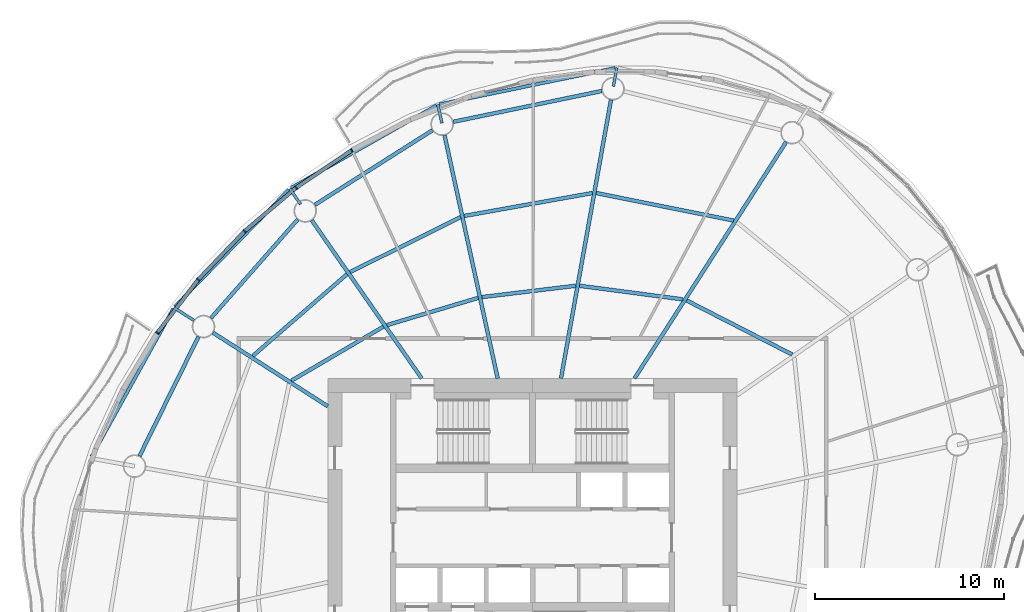
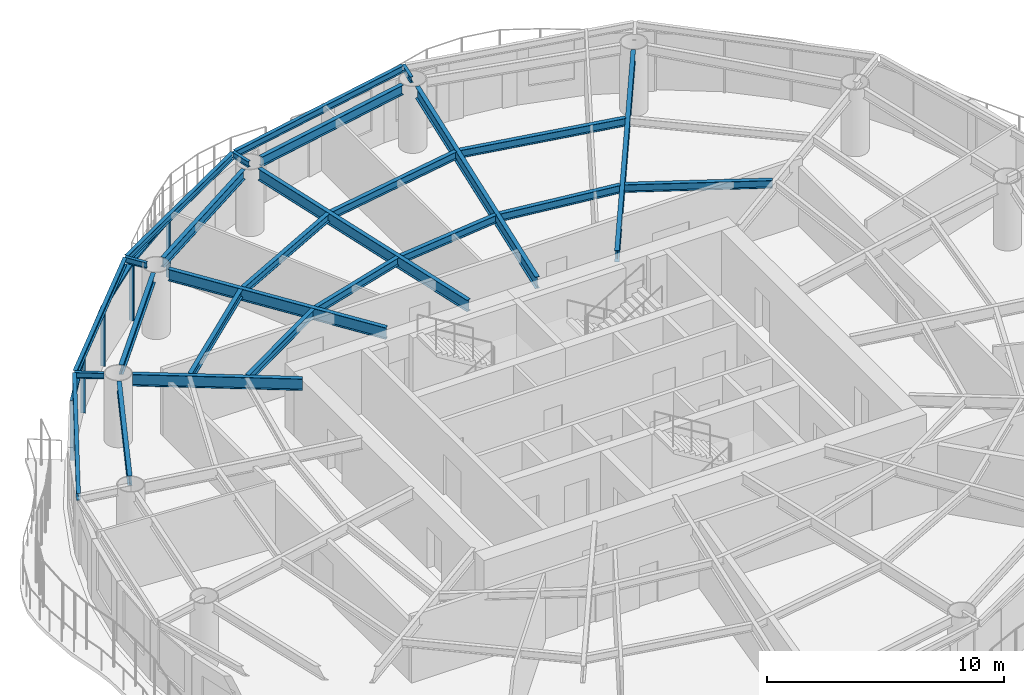
# One storey, part 5 of 14: 26 beams, 9 members, 4 elements without a shape of their own.
"""IFC4 building model written with IfcOpenShell, lengths in metres."""

from ifc_helpers import new_model, si_unit, direction, frame, origin, origin_2d, place, context, subcontext, project, spatial, rectangle, i_section, extrude, material, material_profile, profile_set, type_object, element, aggregate, save


model = new_model("IFC4")

# Units and contexts
model_context = context("Model", 3, precision=1e-05, world=origin(), true_north=direction((0.0, 1.0)))
body_context = subcontext(model_context, "Body", "Model", "MODEL_VIEW")
ifc_project = project(units=[si_unit("LENGTHUNIT", "METRE"), si_unit("AREAUNIT", "SQUARE_METRE"), si_unit("VOLUMEUNIT", "CUBIC_METRE"), si_unit("PLANEANGLEUNIT", "RADIAN"), si_unit("MASSUNIT", "GRAM", prefix="KILO")], contexts=[model_context])

# Site, building, storey
site_placement = place(None, origin())
site = spatial("IfcSite", under=ifc_project, at=site_placement, CompositionType="ELEMENT")
building_placement = place(site_placement, origin())
building = spatial("IfcBuilding", under=site, at=building_placement, Name="Vermilion Reach Broadcast Tower", CompositionType="ELEMENT")
storey_placement = place(building_placement, frame((0.0, 0.0, 206.5)))
storey = spatial("IfcBuildingStorey", under=building, at=storey_placement, Name="L50", CompositionType="ELEMENT", Elevation=206.5)

# Beams
ifc_material_1 = material(Name="Steel S355J2", Category="steel")
ifc_material_profile_1 = material_profile(ifc_material_1, i_section(OverallWidth=0.175048828125, OverallDepth=0.35009765625, WebThickness=0.007080078125, FlangeThickness=0.010986328125, at=origin_2d()), Name="S355J2 HN 350x175x7x11")
ifc_profile_set_1 = profile_set([ifc_material_profile_1], Name="Steel S355J2")
beam_type_1 = type_object("IfcBeamType", Name="EB4 HN 350x175x7x11", PredefinedType="BEAM", material=ifc_profile_set_1)
beam_1_placement = place(storey_placement, frame((-1.630859375, 24.780029296875, 3.27490234375), z_axis=(-0.979291047752, -0.202457511081, 0.0), x_axis=(0.202457511081, -0.979291047752, 0.0)))
element("IfcBeam", 1, at=beam_1_placement, inside=storey, type_object=beam_type_1, Name="Edge beam EB4-02", PredefinedType="BEAM", context=body_context, shape_type="SweptSolid", body=[
    extrude(i_section(OverallWidth=0.175048828125, OverallDepth=0.35009765625, WebThickness=0.007080078125, FlangeThickness=0.010986328125, at=origin_2d()), origin(), (0.0, 0.0, 1.0), 9.485595703125),
])
beam_2_placement = place(storey_placement, frame((-11.061767578125, 22.8056640625, 3.27490234375), z_axis=(-0.869659937039, -0.493651287762, 0.0), x_axis=(0.493651287762, -0.869659937039, 0.0)))
element("IfcBeam", 2, at=beam_2_placement, inside=storey, type_object=beam_type_1, Name="Edge beam EB4-03", PredefinedType="BEAM", context=body_context, shape_type="SweptSolid", body=[
    extrude(i_section(OverallWidth=0.175048828125, OverallDepth=0.35009765625, WebThickness=0.007080078125, FlangeThickness=0.010986328125, at=origin_2d()), origin(), (0.0, 0.0, 1.0), 8.832275390625),
])
beam_3_placement = place(storey_placement, frame((-18.86181640625, 18.353759765625, 3.27490234375), z_axis=(-0.697871815237, -0.716222681502, 0.0), x_axis=(0.716222681502, -0.697871815237, 0.0)))
element("IfcBeam", 3, at=beam_3_placement, inside=storey, type_object=beam_type_1, Name="Edge beam EB4-04", PredefinedType="BEAM", context=body_context, shape_type="SweptSolid", body=[
    extrude(i_section(OverallWidth=0.175048828125, OverallDepth=0.35009765625, WebThickness=0.007080078125, FlangeThickness=0.010986328125, at=origin_2d()), origin(), (0.0, 0.0, 1.0), 8.607666015625),
])
beam_4_placement = place(storey_placement, frame((-24.95849609375, 12.068115234375, 3.27490234375), z_axis=(-0.483728119844, -0.875218319091, 0.0), x_axis=(0.875218319091, -0.483728119844, 0.0)))
element("IfcBeam", 4, at=beam_4_placement, inside=storey, type_object=beam_type_1, Name="Edge beam EB4-05", PredefinedType="BEAM", context=body_context, shape_type="SweptSolid", body=[
    extrude(i_section(OverallWidth=0.175048828125, OverallDepth=0.35009765625, WebThickness=0.007080078125, FlangeThickness=0.010986328125, at=origin_2d()), origin(), (0.0, 0.0, 1.0), 8.904052734375),
])
ifc_material_2 = material(Name="Steel S355J2", Category="steel")
ifc_material_profile_2 = material_profile(ifc_material_2, i_section(OverallWidth=0.199951171875, OverallDepth=0.60009765625, WebThickness=0.010986328125, FlangeThickness=0.01708984375, at=origin_2d()), Name="S355J2 HN 600x200x11x17")
ifc_profile_set_2 = profile_set([ifc_material_profile_2], Name="Steel S355J2")
beam_type_2 = type_object("IfcBeamType", Name="G4 HN 600x200x11x17", PredefinedType="BEAM", material=ifc_profile_set_2)
beam_5_placement = place(storey_placement, frame((-0.613525390625, 8.39990234375, 3.14990234375), z_axis=(0.539796447586, 0.84179557802, 0.0), x_axis=(-0.84179557802, 0.539796447586, 0.0)))
element("IfcBeam", 5, at=beam_5_placement, inside=storey, type_object=beam_type_2, Name="Girder G4-01", PredefinedType="BEAM", context=body_context, shape_type="SweptSolid", body=[
    extrude(i_section(OverallWidth=0.199951171875, OverallDepth=0.60009765625, WebThickness=0.010986328125, FlangeThickness=0.01708984375, at=origin_2d()), origin(), (0.0, 0.0, 1.0), 14.8076171875),
])
beam_6_placement = place(storey_placement, frame((-4.4931640625, 8.39990234375, 3.14990234375), z_axis=(0.176574729047, 0.984287237072, 0.0), x_axis=(-0.984287237072, 0.176574729047, 0.0)))
element("IfcBeam", 6, at=beam_6_placement, inside=storey, type_object=beam_type_2, Name="Girder G4-02", PredefinedType="BEAM", context=body_context, shape_type="SweptSolid", body=[
    extrude(i_section(OverallWidth=0.199951171875, OverallDepth=0.60009765625, WebThickness=0.010986328125, FlangeThickness=0.01708984375, at=origin_2d()), origin(), (0.0, 0.0, 1.0), 14.935302734375),
])
beam_7_placement = place(storey_placement, frame((-7.836181640625, 8.39990234375, 3.14990234375), z_axis=(-0.213538346548, 0.976934682849, 0.0), x_axis=(-0.976934682849, -0.213538346548, 0.0)))
element("IfcBeam", 7, at=beam_7_placement, inside=storey, type_object=beam_type_2, Name="Girder G4-03", PredefinedType="BEAM", context=body_context, shape_type="SweptSolid", body=[
    extrude(i_section(OverallWidth=0.199951171875, OverallDepth=0.60009765625, WebThickness=0.010986328125, FlangeThickness=0.01708984375, at=origin_2d()), origin(), (0.0, 0.0, 1.0), 13.135498046875),
])
beam_8_placement = place(storey_placement, frame((-11.8447265625, 8.39990234375, 3.14990234375), z_axis=(-0.571134149017, 0.8208567377, 0.0), x_axis=(-0.8208567377, -0.571134149017, 0.0)))
element("IfcBeam", 8, at=beam_8_placement, inside=storey, type_object=beam_type_2, Name="Girder G4-04", PredefinedType="BEAM", context=body_context, shape_type="SweptSolid", body=[
    extrude(i_section(OverallWidth=0.199951171875, OverallDepth=0.60009765625, WebThickness=0.010986328125, FlangeThickness=0.01708984375, at=origin_2d()), origin(), (0.0, 0.0, 1.0), 10.16552734375),
])
beam_9_placement = place(storey_placement, frame((-16.800048828125, 6.925537109375, 3.14990234375), z_axis=(-0.841798504642, 0.539791883584, 0.0), x_axis=(-0.539791883584, -0.841798504642, 0.0)))
element("IfcBeam", 9, at=beam_9_placement, inside=storey, type_object=beam_type_2, Name="Girder G4-05", PredefinedType="BEAM", context=body_context, shape_type="SweptSolid", body=[
    extrude(i_section(OverallWidth=0.199951171875, OverallDepth=0.60009765625, WebThickness=0.010986328125, FlangeThickness=0.01708984375, at=origin_2d()), origin(), (0.0, 0.0, 1.0), 7.1962890625),
])
ifc_material_3 = material(Name="Steel S355J2", Category="steel")
ifc_material_profile_3 = material_profile(ifc_material_3, i_section(OverallWidth=0.14990234375, OverallDepth=0.300048828125, WebThickness=0.006591796875, FlangeThickness=0.009033203125, at=origin_2d()), Name="S355J2 HN 300x150x6.5x9")
ifc_profile_set_3 = profile_set([ifc_material_profile_3], Name="Steel S355J2")
beam_type_3 = type_object("IfcBeamType", Name="GS4 HN 300x150x6.5x9", PredefinedType="BEAM", material=ifc_profile_set_3)
beam_10_placement = place(storey_placement, frame((-1.728271484375, 23.812255859375, 3.300048828125), z_axis=(0.176542748677, 0.984292973606, 0.0), x_axis=(-0.984292973606, 0.176542748677, 0.0)))
element("IfcBeam", 10, at=beam_10_placement, inside=storey, type_object=beam_type_3, Name="Cantilever stub GS4-02", PredefinedType="BEAM", context=body_context, shape_type="SweptSolid", body=[
    extrude(i_section(OverallWidth=0.14990234375, OverallDepth=0.300048828125, WebThickness=0.006591796875, FlangeThickness=0.009033203125, at=origin_2d()), origin(), (0.0, 0.0, 1.0), 0.999755859375),
])
beam_11_placement = place(storey_placement, frame((-10.77978515625, 21.867431640625, 3.300048828125), z_axis=(-0.213594957215, 0.976922307173, 0.0), x_axis=(-0.976922307173, -0.213594957215, 0.0)))
element("IfcBeam", 11, at=beam_11_placement, inside=storey, type_object=beam_type_3, Name="Cantilever stub GS4-03", PredefinedType="BEAM", context=body_context, shape_type="SweptSolid", body=[
    extrude(i_section(OverallWidth=0.14990234375, OverallDepth=0.300048828125, WebThickness=0.006591796875, FlangeThickness=0.009033203125, at=origin_2d()), origin(), (0.0, 0.0, 1.0), 1.000244140625),
])
beam_12_placement = place(storey_placement, frame((-18.2373046875, 17.587646484375, 3.300048828125), z_axis=(-0.571264751294, 0.820765852073, 0.0), x_axis=(-0.820765852073, -0.571264751294, 0.0)))
element("IfcBeam", 12, at=beam_12_placement, inside=storey, type_object=beam_type_3, Name="Cantilever stub GS4-04", PredefinedType="BEAM", context=body_context, shape_type="SweptSolid", body=[
    extrude(i_section(OverallWidth=0.14990234375, OverallDepth=0.300048828125, WebThickness=0.006591796875, FlangeThickness=0.009033203125, at=origin_2d()), origin(), (0.0, 0.0, 1.0), 1.0),
])
beam_13_placement = place(storey_placement, frame((-23.867919921875, 11.457763671875, 3.300048828125), z_axis=(-0.841842805996, 0.539722789952, 0.0), x_axis=(-0.539722789952, -0.841842805996, 0.0)))
element("IfcBeam", 13, at=beam_13_placement, inside=storey, type_object=beam_type_3, Name="Cantilever stub GS4-05", PredefinedType="BEAM", context=body_context, shape_type="SweptSolid", body=[
    extrude(i_section(OverallWidth=0.14990234375, OverallDepth=0.300048828125, WebThickness=0.006591796875, FlangeThickness=0.009033203125, at=origin_2d()), origin(), (0.0, 0.0, 1.0), 1.25244140625),
])
ifc_material_4 = material(Name="Steel S355J2", Category="steel")
ifc_material_profile_4 = material_profile(ifc_material_4, i_section(OverallWidth=0.199951171875, OverallDepth=0.5, WebThickness=0.010009765625, FlangeThickness=0.01611328125, at=origin_2d()), Name="S355J2 HN 500x200x10x16")
ifc_profile_set_4 = profile_set([ifc_material_profile_4], Name="Steel S355J2")
beam_type_4 = type_object("IfcBeamType", Name="RB4 HN 500x200x10x16", PredefinedType="BEAM", material=ifc_profile_set_4)
beam_14_placement = place(storey_placement, frame((-2.337646484375, 23.569091796875, 3.199951171875), z_axis=(-0.97912342484, -0.203266620302, 0.0), x_axis=(0.203266620302, -0.97912342484, 0.0)))
element("IfcBeam", 14, at=beam_14_placement, inside=storey, type_object=beam_type_4, Name="Ring beam RB4-02", PredefinedType="BEAM", context=body_context, shape_type="SweptSolid", body=[
    extrude(i_section(OverallWidth=0.199951171875, OverallDepth=0.5, WebThickness=0.010009765625, FlangeThickness=0.01611328125, at=origin_2d()), origin(), (0.0, 0.0, 1.0), 8.01123046875),
])
beam_15_placement = place(storey_placement, frame((-11.27587890625, 21.497314453125, 3.199951171875), z_axis=(-0.84446426774, -0.535611893549, 0.0), x_axis=(0.535611893549, -0.84446426774, 0.0)))
element("IfcBeam", 15, at=beam_15_placement, inside=storey, type_object=beam_type_4, Name="Ring beam RB4-03", PredefinedType="BEAM", context=body_context, shape_type="SweptSolid", body=[
    extrude(i_section(OverallWidth=0.199951171875, OverallDepth=0.5, WebThickness=0.010009765625, FlangeThickness=0.01611328125, at=origin_2d()), origin(), (0.0, 0.0, 1.0), 7.3544921875),
])
beam_16_placement = place(storey_placement, frame((-18.3896484375, 16.786376953125, 3.199951171875), z_axis=(-0.660565141761, -0.750768735024, 0.0), x_axis=(0.750768735024, -0.660565141761, 0.0)))
element("IfcBeam", 16, at=beam_16_placement, inside=storey, type_object=beam_type_4, Name="Ring beam RB4-04", PredefinedType="BEAM", context=body_context, shape_type="SweptSolid", body=[
    extrude(i_section(OverallWidth=0.199951171875, OverallDepth=0.5, WebThickness=0.010009765625, FlangeThickness=0.01611328125, at=origin_2d()), origin(), (0.0, 0.0, 1.0), 6.9287109375),
])
beam_17_placement = place(storey_placement, frame((-23.628662109375, 10.595947265625, 3.199951171875), z_axis=(-0.442977497199, -0.896532730566, 0.0), x_axis=(0.896532730566, -0.442977497199, 0.0)))
element("IfcBeam", 17, at=beam_17_placement, inside=storey, type_object=beam_type_4, Name="Ring beam RB4-05", PredefinedType="BEAM", context=body_context, shape_type="SweptSolid", body=[
    extrude(i_section(OverallWidth=0.199951171875, OverallDepth=0.5, WebThickness=0.010009765625, FlangeThickness=0.01611328125, at=origin_2d()), origin(), (0.0, 0.0, 1.0), 7.0166015625),
])
ifc_material_5 = material(Name="Steel S355J2", Category="steel")
ifc_material_profile_5 = material_profile(ifc_material_5, i_section(OverallWidth=0.199951171875, OverallDepth=0.39990234375, WebThickness=0.008056640625, FlangeThickness=0.012939453125, at=origin_2d()), Name="S355J2 HN 400x200x8x13")
ifc_profile_set_5 = profile_set([ifc_material_profile_5], Name="Steel S355J2")
beam_type_5 = type_object("IfcBeamType", Name="SB4 HN 400x200x8x13", PredefinedType="BEAM", material=ifc_profile_set_5)
beam_18_placement = place(storey_placement, frame((1.94140625, 12.5693359375, 3.25), z_axis=(-0.991458070019, 0.130425823341, 0.0), x_axis=(-0.130425823341, -0.991458070019, 0.0)))
element("IfcBeam", 18, at=beam_18_placement, inside=storey, type_object=beam_type_5, Name="Secondary beam SB4-01-1", PredefinedType="BEAM", context=body_context, shape_type="SweptSolid", body=[
    extrude(i_section(OverallWidth=0.199951171875, OverallDepth=0.39990234375, WebThickness=0.008056640625, FlangeThickness=0.012939453125, at=origin_2d()), origin(), (0.0, 0.0, 1.0), 5.50341796875),
])
beam_19_placement = place(storey_placement, frame((4.60986328125, 16.73095703125, 3.25), z_axis=(-0.9805717807, 0.196160604851, 0.0), x_axis=(-0.196160604851, -0.9805717807, 0.0)))
element("IfcBeam", 19, at=beam_19_placement, inside=storey, type_object=beam_type_5, Name="Secondary beam SB4-01-2", PredefinedType="BEAM", context=body_context, shape_type="SweptSolid", body=[
    extrude(i_section(OverallWidth=0.199951171875, OverallDepth=0.39990234375, WebThickness=0.008056640625, FlangeThickness=0.012939453125, at=origin_2d()), origin(), (0.0, 0.0, 1.0), 7.390380859375),
])
beam_20_placement = place(storey_placement, frame((-3.718017578125, 13.28759765625, 3.25), z_axis=(-0.99278788328, -0.119884189168, 0.0), x_axis=(0.119884189168, -0.99278788328, 0.0)))
element("IfcBeam", 20, at=beam_20_placement, inside=storey, type_object=beam_type_5, Name="Secondary beam SB4-02-1", PredefinedType="BEAM", context=body_context, shape_type="SweptSolid", body=[
    extrude(i_section(OverallWidth=0.199951171875, OverallDepth=0.39990234375, WebThickness=0.008056640625, FlangeThickness=0.012939453125, at=origin_2d()), origin(), (0.0, 0.0, 1.0), 4.9892578125),
])
beam_21_placement = place(storey_placement, frame((-2.840087890625, 18.181640625, 3.25), z_axis=(-0.984415281892, -0.175859468829, 0.0), x_axis=(0.175859468829, -0.984415281892, 0.0)))
element("IfcBeam", 21, at=beam_21_placement, inside=storey, type_object=beam_type_5, Name="Secondary beam SB4-02-2", PredefinedType="BEAM", context=body_context, shape_type="SweptSolid", body=[
    extrude(i_section(OverallWidth=0.199951171875, OverallDepth=0.39990234375, WebThickness=0.008056640625, FlangeThickness=0.012939453125, at=origin_2d()), origin(), (0.0, 0.0, 1.0), 6.874755859375),
])
beam_22_placement = place(storey_placement, frame((-8.8671875, 12.64892578125, 3.25), z_axis=(-0.958173460215, -0.28618808525, 0.0), x_axis=(0.28618808525, -0.958173460215, 0.0)))
element("IfcBeam", 22, at=beam_22_placement, inside=storey, type_object=beam_type_5, Name="Secondary beam SB4-03-1", PredefinedType="BEAM", context=body_context, shape_type="SweptSolid", body=[
    extrude(i_section(OverallWidth=0.199951171875, OverallDepth=0.39990234375, WebThickness=0.008056640625, FlangeThickness=0.012939453125, at=origin_2d()), origin(), (0.0, 0.0, 1.0), 5.02197265625),
])
beam_23_placement = place(storey_placement, frame((-9.79833984375, 16.908935546875, 3.25), z_axis=(-0.895183615542, -0.445697536974, 0.0), x_axis=(0.445697536974, -0.895183615542, 0.0)))
element("IfcBeam", 23, at=beam_23_placement, inside=storey, type_object=beam_type_5, Name="Secondary beam SB4-03-2", PredefinedType="BEAM", context=body_context, shape_type="SweptSolid", body=[
    extrude(i_section(OverallWidth=0.199951171875, OverallDepth=0.39990234375, WebThickness=0.008056640625, FlangeThickness=0.012939453125, at=origin_2d()), origin(), (0.0, 0.0, 1.0), 6.508544921875),
])
beam_24_placement = place(storey_placement, frame((-13.866455078125, 11.130615234375, 3.25), z_axis=(-0.862172572268, -0.506614701356, 0.0), x_axis=(0.506614701356, -0.862172572268, 0.0)))
element("IfcBeam", 24, at=beam_24_placement, inside=storey, type_object=beam_type_5, Name="Secondary beam SB4-04-1", PredefinedType="BEAM", context=body_context, shape_type="SweptSolid", body=[
    extrude(i_section(OverallWidth=0.199951171875, OverallDepth=0.39990234375, WebThickness=0.008056640625, FlangeThickness=0.012939453125, at=origin_2d()), origin(), (0.0, 0.0, 1.0), 5.632568359375),
])
beam_25_placement = place(storey_placement, frame((-15.791259765625, 13.89697265625, 3.25), z_axis=(-0.755129308567, -0.655575874589, 0.0), x_axis=(0.655575874589, -0.755129308567, 0.0)))
element("IfcBeam", 25, at=beam_25_placement, inside=storey, type_object=beam_type_5, Name="Secondary beam SB4-04-2", PredefinedType="BEAM", context=body_context, shape_type="SweptSolid", body=[
    extrude(i_section(OverallWidth=0.199951171875, OverallDepth=0.39990234375, WebThickness=0.008056640625, FlangeThickness=0.012939453125, at=origin_2d()), origin(), (0.0, 0.0, 1.0), 6.57958984375),
])
beam_26_placement = place(storey_placement, frame((7.707763671875, 9.659423828125, 3.25), z_axis=(-0.89015575218, 0.455656380249, 0.0), x_axis=(-0.455656380249, -0.89015575218, 0.0)))
element("IfcBeam", 26, at=beam_26_placement, inside=storey, type_object=beam_type_5, Name="Secondary beam SB4-16-1", PredefinedType="BEAM", context=body_context, shape_type="SweptSolid", body=[
    extrude(i_section(OverallWidth=0.199951171875, OverallDepth=0.39990234375, WebThickness=0.008056640625, FlangeThickness=0.012939453125, at=origin_2d()), origin(), (0.0, 0.0, 1.0), 6.25439453125),
])

# Curtain wall, member
ifc_material_6 = material(Name="Low-e laminated clear glass in aluminium frame", Category="aluminium")
curtain_wall_type = type_object("IfcCurtainWallType", Name="Slot curtain wall", PredefinedType="NOTDEFINED", material=ifc_material_6)
placement = place(storey_placement, origin())
curtain_wall_1 = element("IfcCurtainWall", 27, at=placement, inside=storey, type_object=curtain_wall_type, Name="Slot curtain wall L50 10", PredefinedType="NOTDEFINED")
ifc_material_7 = material(Name="Anodised aluminium", Category="aluminium")
ifc_material_profile_6 = material_profile(ifc_material_7, rectangle(XDim=0.199951171875, YDim=0.080078125, at=origin_2d()), Name="Slot mullion 80 x 200")
ifc_profile_set_6 = profile_set([ifc_material_profile_6], Name="Anodised aluminium")
member_type_1 = type_object("IfcMemberType", Name="Slot mullion 80 x 200", PredefinedType="MULLION", material=ifc_profile_set_6)
member_1_placement = place(storey_placement, frame((-15.53759765625, 20.4375, 0.0), z_axis=(0.0, 0.0, 1.0), x_axis=(0.512027960337, -0.858968781641, 0.0)))
member_1 = element("IfcMember", 28, at=member_1_placement, type_object=member_type_1, Name="Slot mullion L50 10", PredefinedType="MULLION", context=body_context, shape_type="SweptSolid", body=[
    extrude(rectangle(XDim=0.199951171875, YDim=0.080078125, at=origin_2d()), origin(), (0.0, 0.0, 1.0), 3.050048828125),
])

curtain_wall_2 = element("IfcCurtainWall", 29, at=placement, inside=storey, type_object=curtain_wall_type, Name="Slot curtain wall L50 11", PredefinedType="NOTDEFINED")
member_2_placement = place(storey_placement, frame((-18.4697265625, 18.464111328125, 0.0), z_axis=(0.0, 0.0, 1.0), x_axis=(0.602289765315, -0.798277544841, 0.0)))
member_2 = element("IfcMember", 30, at=member_2_placement, type_object=member_type_1, Name="Slot mullion L50 11", PredefinedType="MULLION", context=body_context, shape_type="SweptSolid", body=[
    extrude(rectangle(XDim=0.199951171875, YDim=0.080078125, at=origin_2d()), origin(), (0.0, 0.0, 1.0), 3.050048828125),
])

curtain_wall_3 = element("IfcCurtainWall", 31, at=placement, inside=storey, type_object=curtain_wall_type, Name="Slot curtain wall L50 12", PredefinedType="NOTDEFINED")
member_3_placement = place(storey_placement, frame((-21.187744140625, 16.17333984375, 0.0), z_axis=(0.0, 0.0, 1.0), x_axis=(0.684547151019, -0.728968585079, 0.0)))
member_3 = element("IfcMember", 32, at=member_3_placement, type_object=member_type_1, Name="Slot mullion L50 12", PredefinedType="MULLION", context=body_context, shape_type="SweptSolid", body=[
    extrude(rectangle(XDim=0.199951171875, YDim=0.080078125, at=origin_2d()), origin(), (0.0, 0.0, 1.0), 3.050048828125),
])

# Curtain wall, members
curtain_wall_4 = element("IfcCurtainWall", 33, at=placement, inside=storey, type_object=curtain_wall_type, Name="Slot curtain wall L50 13", PredefinedType="NOTDEFINED")
member_4_placement = place(storey_placement, frame((-23.644775390625, 13.6044921875, 0.0), z_axis=(0.0, 0.0, 1.0), x_axis=(0.758884239286, -0.651225545693, 0.0)))
member_4 = element("IfcMember", 34, at=member_4_placement, type_object=member_type_1, Name="Slot mullion L50 13", PredefinedType="MULLION", context=body_context, shape_type="SweptSolid", body=[
    extrude(rectangle(XDim=0.199951171875, YDim=0.080078125, at=origin_2d()), origin(), (0.0, 0.0, 1.0), 3.050048828125),
])
member_5_placement = place(storey_placement, frame((-25.79833984375, 10.802001953125, 0.0), z_axis=(0.0, 0.0, 1.0), x_axis=(0.825123274569, -0.564952725248, 0.0)))
member_5 = element("IfcMember", 35, at=member_5_placement, type_object=member_type_1, Name="Slot mullion L50 14", PredefinedType="MULLION", context=body_context, shape_type="SweptSolid", body=[
    extrude(rectangle(XDim=0.199951171875, YDim=0.080078125, at=origin_2d()), origin(), (0.0, 0.0, 1.0), 3.050048828125),
])

# Member
ifc_material_8 = material(Name="Anodised aluminium", Category="aluminium")
ifc_material_profile_7 = material_profile(ifc_material_8, rectangle(XDim=0.199951171875, YDim=0.10009765625, at=origin_2d()), Name="Slot transom 200 x 100")
ifc_profile_set_7 = profile_set([ifc_material_profile_7], Name="Anodised aluminium")
member_type_2 = type_object("IfcMemberType", Name="Slot transom 200 x 100", PredefinedType="USERDEFINED", material=ifc_profile_set_7)
member_6_placement = place(storey_placement, frame((-15.57080078125, 20.415283203125, 3.0), z_axis=(-0.829606635119, -0.558348306137, 0.0), x_axis=(0.558348306137, -0.829606635119, 0.0)))
member_6 = element("IfcMember", 36, at=member_6_placement, type_object=member_type_2, Name="Slot transom L50 10.1", ObjectType="TRANSOM", PredefinedType="USERDEFINED", context=body_context, shape_type="SweptSolid", body=[
    extrude(rectangle(XDim=0.199951171875, YDim=0.10009765625, at=origin_2d()), origin(), (0.0, 0.0, 1.0), 3.454345703125),
])

aggregate(curtain_wall_1, [member_1, member_6])

member_7_placement = place(storey_placement, frame((-18.500244140625, 18.438232421875, 3.0), z_axis=(-0.764626873783, -0.644473229769, 0.0), x_axis=(0.644473229769, -0.764626873783, 0.0)))
member_7 = element("IfcMember", 37, at=member_7_placement, type_object=member_type_2, Name="Slot transom L50 11.1", ObjectType="TRANSOM", PredefinedType="USERDEFINED", context=body_context, shape_type="SweptSolid", body=[
    extrude(rectangle(XDim=0.199951171875, YDim=0.10009765625, at=origin_2d()), origin(), (0.0, 0.0, 1.0), 3.474609375),
])

aggregate(curtain_wall_2, [member_2, member_7])

member_8_placement = place(storey_placement, frame((-21.21533203125, 16.144287109375, 3.0), z_axis=(-0.691229027011, -0.722635753487, 0.0), x_axis=(0.722635753487, -0.691229027011, 0.0)))
member_8 = element("IfcMember", 38, at=member_8_placement, type_object=member_type_2, Name="Slot transom L50 12.1", ObjectType="TRANSOM", PredefinedType="USERDEFINED", context=body_context, shape_type="SweptSolid", body=[
    extrude(rectangle(XDim=0.199951171875, YDim=0.10009765625, at=origin_2d()), origin(), (0.0, 0.0, 1.0), 3.474853515625),
])

aggregate(curtain_wall_3, [member_3, member_8])

member_9_placement = place(storey_placement, frame((-23.669189453125, 13.57275390625, 3.0), z_axis=(-0.609311053113, -0.792931296239, 0.0), x_axis=(0.792931296239, -0.609311053113, 0.0)))
member_9 = element("IfcMember", 39, at=member_9_placement, type_object=member_type_2, Name="Slot transom L50 13.1", ObjectType="TRANSOM", PredefinedType="USERDEFINED", context=body_context, shape_type="SweptSolid", body=[
    extrude(rectangle(XDim=0.199951171875, YDim=0.10009765625, at=origin_2d()), origin(), (0.0, 0.0, 1.0), 3.454345703125),
])

aggregate(curtain_wall_4, [member_4, member_5, member_9])

save(model, "model.ifc")
